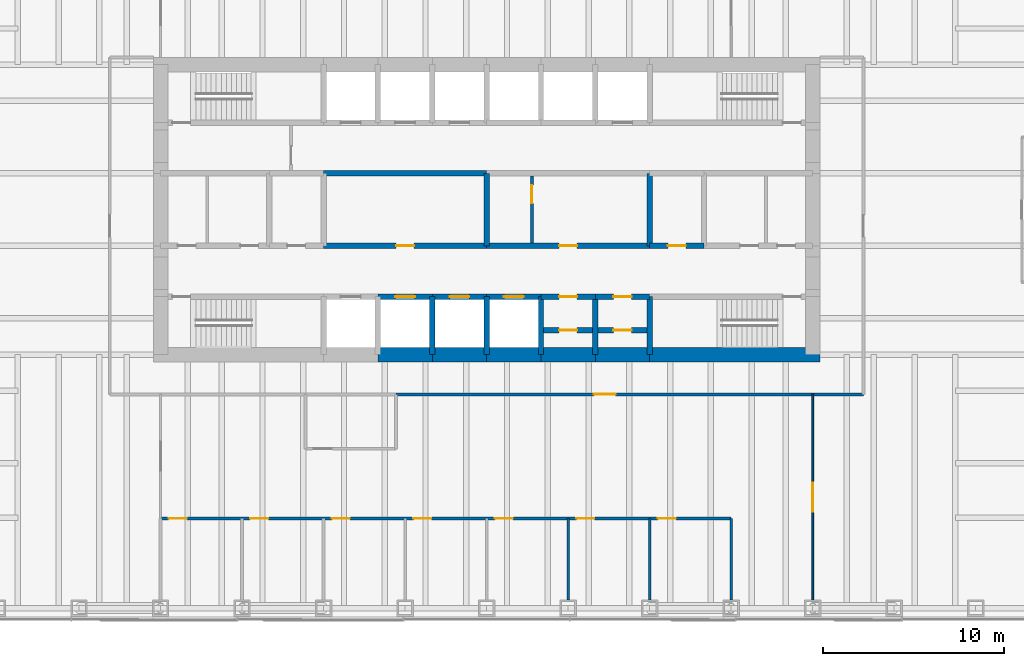
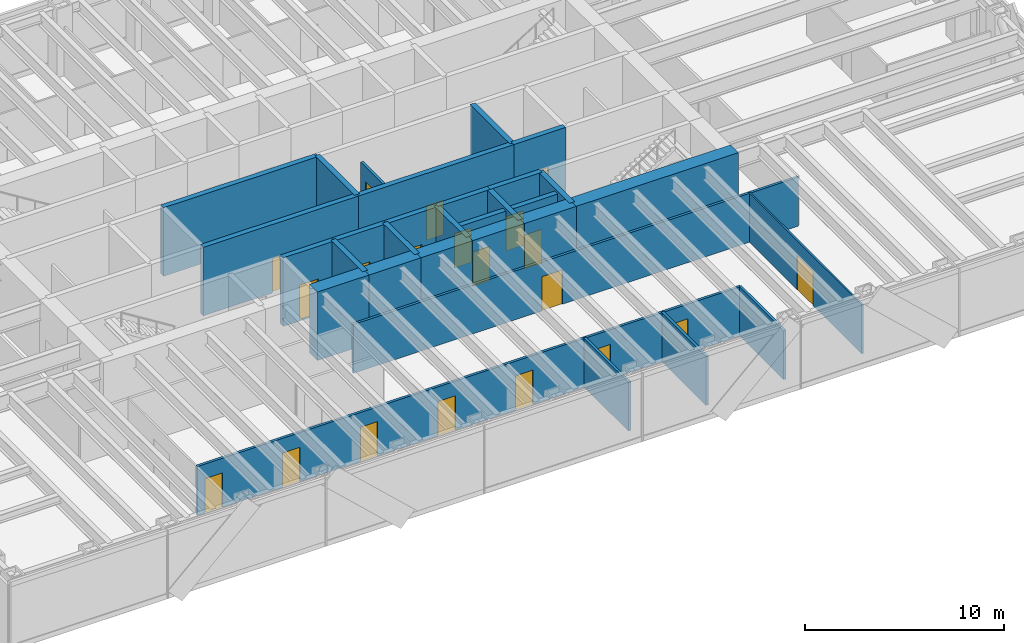
# One storey, part 11 of 14: 31 walls, 20 doors, 20 openings.
"""IFC4 building model written with IfcOpenShell, lengths in metres."""

import ifcopenshell
import ifcopenshell.guid

model = None  # the IFC model being written
_history = None  # IfcOwnerHistory: only IFC2X3 demands one
_inside = {}  # id of a spatial element -> (the spatial element, [elements in it])
_under = {}  # id of a project, library or spatial element -> (it, [spatial elements below it])
_declared = {}  # id of a project -> (the project, [libraries it declares])
_typed = {}  # id of a type object -> (the type object, [elements of that type])
_made_of = {}  # id of a material, layer set ... -> (it, [elements and type objects made of it])


def new_model(schema):
    """Start an empty IFC model of exactly this schema.

    Asked for "IFC4X3", IfcOpenShell would pick the latest addendum, in which some entities
    have other attributes; the version numbers below select the first issue.
    IFC2X3 requires an IfcOwnerHistory on every rooted entity: one is made here for all.
    """
    global model, _history
    if schema == "IFC4X3":
        model = ifcopenshell.file(schema_version=(4, 3, 0, 0))
    else:
        model = ifcopenshell.file(schema=schema)
    _inside.clear()
    _under.clear()
    _declared.clear()
    _typed.clear()
    _made_of.clear()
    _history = None
    if model.schema == "IFC2X3":
        org = make("IfcOrganization", Name="unknown")
        user = make(
            "IfcPersonAndOrganization",
            ThePerson=make("IfcPerson", FamilyName="unknown"),
            TheOrganization=org,
        )
        app = make(
            "IfcApplication",
            ApplicationDeveloper=org,
            Version="unknown",
            ApplicationFullName="unknown",
            ApplicationIdentifier="unknown",
        )
        _history = make(
            "IfcOwnerHistory",
            OwningUser=user,
            OwningApplication=app,
            ChangeAction="ADDED",
            CreationDate=0,
        )
    return model


def make(cls, **values):
    """One entity of the class cls with the attributes given. An attribute that is None is left unset."""
    return model.create_entity(
        cls, **{name: value for name, value in values.items() if value is not None}
    )


def rooted(cls, **values):
    """An entity with a GlobalId (a new one), such as an element, a storey or a relation."""
    return make(cls, GlobalId=ifcopenshell.guid.new(), OwnerHistory=_history, **values)


def si_unit(unit_type, name, prefix=None):
    """IfcSIUnit, for example si_unit("LENGTHUNIT", "METRE", prefix="MILLI")."""
    return make("IfcSIUnit", UnitType=unit_type, Prefix=prefix, Name=name)


def assignment(units):
    """IfcUnitAssignment: the units of a project."""
    return None if units is None else make("IfcUnitAssignment", Units=units)


def point(xyz):
    """IfcCartesianPoint."""
    return None if xyz is None else make("IfcCartesianPoint", Coordinates=xyz)


def direction(xyz):
    """IfcDirection."""
    return None if xyz is None else make("IfcDirection", DirectionRatios=xyz)


def frame(location, z_axis=None, x_axis=None):
    """IfcAxis2Placement3D, a coordinate frame: its origin and axes. An axis left out is left unset."""
    return make(
        "IfcAxis2Placement3D",
        Location=point(location),
        Axis=direction(z_axis),
        RefDirection=direction(x_axis),
    )


def frame_2d(location, x_axis=None):
    """IfcAxis2Placement2D, a coordinate frame in the plane: its origin and x axis."""
    return make(
        "IfcAxis2Placement2D", Location=point(location), RefDirection=direction(x_axis)
    )


def origin():
    """The frame at (0, 0, 0) with its axes left unset."""
    return frame((0.0, 0.0, 0.0))


def place(relative_to, where):
    """IfcLocalPlacement: puts the frame where relative to a parent placement (None: the world)."""
    return make(
        "IfcLocalPlacement", PlacementRelTo=relative_to, RelativePlacement=where
    )


def context(
    kind, dimensions, precision=None, world=None, true_north=None, identifier=None
):
    """IfcGeometricRepresentationContext, for example the 3D "Model" context."""
    return make(
        "IfcGeometricRepresentationContext",
        ContextIdentifier=identifier,
        ContextType=kind,
        CoordinateSpaceDimension=dimensions,
        Precision=precision,
        WorldCoordinateSystem=world,
        TrueNorth=true_north,
    )


def subcontext(parent, identifier, kind, view, scale=None):
    """IfcGeometricRepresentationSubContext, for example "Body" below "Model"."""
    return make(
        "IfcGeometricRepresentationSubContext",
        ContextIdentifier=identifier,
        ContextType=kind,
        ParentContext=parent,
        TargetScale=scale,
        TargetView=view,
    )


def project(units=None, contexts=None):
    """IfcProject with its units and contexts."""
    return rooted(
        "IfcProject",
        Name="project",
        RepresentationContexts=contexts,
        UnitsInContext=assignment(units),
    )


def spatial(cls, under=None, at=None, **own):
    """A site, building, storey or space (cls), placed at a placement, below another one or the project."""
    s = rooted(cls, ObjectPlacement=at, **own)
    if under is not None:
        _under.setdefault(under.id(), (under, []))[1].append(s)
    return s


def profile(cls, at=None, kind="AREA", **sizes):
    """A parametric profile (cls). Its sizes go by their IFC names, for example OverallWidth=200.0."""
    return make(cls, ProfileType=kind, Position=at, **sizes)


def rectangle(**sizes):
    """IfcRectangleProfileDef."""
    return profile("IfcRectangleProfileDef", **sizes)


def extrude(swept, where, along, depth):
    """IfcExtrudedAreaSolid: the profile swept, set in the frame where, extruded along a direction by depth."""
    return make(
        "IfcExtrudedAreaSolid",
        SweptArea=swept,
        Position=where,
        ExtrudedDirection=direction(along),
        Depth=depth,
    )


def shape(context_of_items, identifier, shape_type, items):
    """IfcShapeRepresentation: the items that make up one representation, for example the "Body"."""
    return make(
        "IfcShapeRepresentation",
        ContextOfItems=context_of_items,
        RepresentationIdentifier=identifier,
        RepresentationType=shape_type,
        Items=items,
    )


def material(Name=None, Category=None):
    """IfcMaterial."""
    return make("IfcMaterial", Name=Name, Category=Category)


def layer(
    of_material, thickness, ventilated=None, Name=None, Category=None, Priority=None
):
    """IfcMaterialLayer: one layer of a wall or slab, of a material (None: an air gap)."""
    return make(
        "IfcMaterialLayer",
        Material=of_material,
        LayerThickness=thickness,
        IsVentilated=ventilated,
        Name=Name,
        Category=Category,
        Priority=Priority,
    )


def layer_set(layers, Name=None):
    """IfcMaterialLayerSet."""
    return make("IfcMaterialLayerSet", MaterialLayers=layers, LayerSetName=Name)


def made_of(thing, what):
    """Note that an element or type object is made of a material, layer set ...; save() writes the relation."""
    if what is not None:
        _made_of.setdefault(what.id(), (what, []))[1].append(thing)
    return thing


def type_object(cls, material=None, **own):
    """A type object (cls), such as IfcWallType, which elements share."""
    return made_of(rooted(cls, **own), material)


def element(
    cls,
    number,
    at=None,
    inside=None,
    cuts=None,
    type_object=None,
    material=None,
    context=None,
    identifier="Body",
    shape_type=None,
    held_by="IfcProductDefinitionShape",
    body=None,
    shapes=None,
    **own,
):
    """One element of the class cls, such as IfcWall. Its Tag is "e" and its number.

    at: its placement. inside: the storey or other place that contains it. cuts: it is an
    opening in that element (IfcRelVoidsElement). A single representation is given by context,
    identifier, shape_type and body (its items); several are given by shapes. held_by: the class
    of the entity that holds the representations. save() writes the other relations.
    """
    e = rooted(cls, Tag="e%d" % number, ObjectPlacement=at, **own)
    if body is not None:
        shapes = [shape(context, identifier, shape_type, body)]
    if shapes is not None:
        e.Representation = make(held_by, Representations=shapes)
    if inside is not None:
        _inside.setdefault(inside.id(), (inside, []))[1].append(e)
    if cuts is not None:
        rooted(
            "IfcRelVoidsElement", RelatingBuildingElement=cuts, RelatedOpeningElement=e
        )
    if type_object is not None:
        _typed.setdefault(type_object.id(), (type_object, []))[1].append(e)
    return made_of(e, material)


def fill(opening, filler):
    """IfcRelFillsElement: the door or window that sits in an opening."""
    return rooted(
        "IfcRelFillsElement",
        RelatingOpeningElement=opening,
        RelatedBuildingElement=filler,
    )


def aggregate(whole, parts):
    """IfcRelAggregates: a whole, such as a stair, and the parts it consists of."""
    return rooted("IfcRelAggregates", RelatingObject=whole, RelatedObjects=parts)


def save(model, path):
    """Write the relations noted so far, then the file.

    IfcRelAggregates (storeys below a building ...), IfcRelContainedInSpatialStructure (elements
    in a storey), IfcRelDefinesByType, IfcRelAssociatesMaterial and IfcRelDeclares: one each for
    every whole, place, type object, material and project.
    """
    for whole, parts in _under.values():
        aggregate(whole, parts)
    for where, things in _inside.values():
        rooted(
            "IfcRelContainedInSpatialStructure",
            RelatedElements=things,
            RelatingStructure=where,
        )
    for kind, things in _typed.values():
        rooted("IfcRelDefinesByType", RelatedObjects=things, RelatingType=kind)
    for what, things in _made_of.values():
        rooted("IfcRelAssociatesMaterial", RelatedObjects=things, RelatingMaterial=what)
    for by, libraries in _declared.values():
        rooted("IfcRelDeclares", RelatingContext=by, RelatedDefinitions=libraries)
    model.write(path)


model = new_model("IFC4")

# Units and contexts
model_context = context("Model", 3, precision=1e-05, world=origin(), true_north=direction((0.0, 1.0)))
body_context = subcontext(model_context, "Body", "Model", "MODEL_VIEW")
ifc_project = project(units=[si_unit("LENGTHUNIT", "METRE"), si_unit("AREAUNIT", "SQUARE_METRE"), si_unit("VOLUMEUNIT", "CUBIC_METRE"), si_unit("PLANEANGLEUNIT", "RADIAN"), si_unit("MASSUNIT", "GRAM", prefix="KILO")], contexts=[model_context])

# Site, building, storey
site_placement = place(None, origin())
site = spatial("IfcSite", under=ifc_project, at=site_placement, CompositionType="ELEMENT")
building_placement = place(site_placement, origin())
building = spatial("IfcBuilding", under=site, at=building_placement, Name="Rheinbord Bourse Tower", CompositionType="ELEMENT")
storey_placement = place(building_placement, frame((0.0, 0.0, 194.199951171875)))
storey = spatial("IfcBuildingStorey", under=building, at=storey_placement, Name="L43", CompositionType="ELEMENT", Elevation=194.199951171875)

# Wall, opening, door
ifc_material_1 = material(Name="Concrete C50/60", Category="concrete")
ifc_layer_1 = layer(ifc_material_1, 0.300048828125)
ifc_layer_set_1 = layer_set([ifc_layer_1], Name="CORE INNER WALL 300")
wall_type_1 = type_object("IfcWallType", Name="CORE INNER WALL 300", PredefinedType="SOLIDWALL", material=ifc_layer_set_1)
wall_1_placement = place(storey_placement, frame((30.0, 19.199951171875, 0.0), z_axis=(0.0, 0.0, 1.0), x_axis=(1.0, 0.0, 0.0)))
wall_1 = element("IfcWall", 1, at=wall_1_placement, inside=storey, type_object=wall_type_1, Name="Core wall A3 L43", PredefinedType="SOLIDWALL", context=body_context, shape_type="SweptSolid", body=[
    extrude(rectangle(XDim=3.0, YDim=0.300048828125, at=frame_2d((1.5, 0.0))), origin(), (0.0, 0.0, 1.0), 4.199951171875),
])
opening_1_placement = place(wall_1_placement, frame((0.949951171875, 0.0, 0.0)))
opening_1 = element("IfcOpeningElement", 2, at=opening_1_placement, cuts=wall_1, Name="Opening PC1", PredefinedType="OPENING", context=body_context, shape_type="SweptSolid", body=[
    extrude(rectangle(XDim=1.10009765625, YDim=2.199951171875, at=frame_2d((0.550048828125, 1.10009765625))), frame((0.0, 0.159912109375, 0.0), z_axis=(0.0, -1.0, 0.0), x_axis=(1.0, 0.0, 0.0)), (0.0, 0.0, 1.0), 0.320068359375),
])
ifc_material_2 = material(Name="Steel landing door", Category="steel")
door_type_1 = type_object("IfcDoorType", Name="LIFT LANDING DOOR 1100", OperationType="DOUBLE_DOOR_SLIDING", PredefinedType="USERDEFINED", material=ifc_material_2)
door_1_placement = place(opening_1_placement, origin())
door_1 = element("IfcDoor", 3, at=door_1_placement, inside=storey, type_object=door_type_1, Name="Lift landing door PC1 L43", ObjectType="LIFT LANDING DOOR", OperationType="DOUBLE_DOOR_SLIDING", OverallHeight=2.199951171875, OverallWidth=1.10009765625, PredefinedType="USERDEFINED", context=body_context, shape_type="SweptSolid", body=[
    extrude(rectangle(XDim=1.10009765625, YDim=2.199951171875, at=frame_2d((0.550048828125, 1.10009765625))), frame((0.0, 0.02490234375, 0.0), z_axis=(0.0, -1.0, 0.0), x_axis=(1.0, 0.0, 0.0)), (0.0, 0.0, 1.0), 0.050048828125),
])
fill(opening_1, door_1)

wall_2_placement = place(storey_placement, frame((33.0, 19.199951171875, 0.0), z_axis=(0.0, 0.0, 1.0), x_axis=(1.0, 0.0, 0.0)))
wall_2 = element("IfcWall", 4, at=wall_2_placement, inside=storey, type_object=wall_type_1, Name="Core wall A4 L43", PredefinedType="SOLIDWALL", context=body_context, shape_type="SweptSolid", body=[
    extrude(rectangle(XDim=3.0, YDim=0.300048828125, at=frame_2d((1.5, 0.0))), origin(), (0.0, 0.0, 1.0), 4.199951171875),
])
opening_2_placement = place(wall_2_placement, frame((0.949951171875, 0.0, 0.0)))
opening_2 = element("IfcOpeningElement", 5, at=opening_2_placement, cuts=wall_2, Name="Opening PC2", PredefinedType="OPENING", context=body_context, shape_type="SweptSolid", body=[
    extrude(rectangle(XDim=1.10009765625, YDim=2.199951171875, at=frame_2d((0.550048828125, 1.10009765625))), frame((0.0, 0.159912109375, 0.0), z_axis=(0.0, -1.0, 0.0), x_axis=(1.0, 0.0, 0.0)), (0.0, 0.0, 1.0), 0.320068359375),
])
door_2_placement = place(opening_2_placement, origin())
door_2 = element("IfcDoor", 6, at=door_2_placement, inside=storey, type_object=door_type_1, Name="Lift landing door PC2 L43", ObjectType="LIFT LANDING DOOR", OperationType="DOUBLE_DOOR_SLIDING", OverallHeight=2.199951171875, OverallWidth=1.10009765625, PredefinedType="USERDEFINED", context=body_context, shape_type="SweptSolid", body=[
    extrude(rectangle(XDim=1.10009765625, YDim=2.199951171875, at=frame_2d((0.550048828125, 1.10009765625))), frame((0.0, 0.02490234375, 0.0), z_axis=(0.0, -1.0, 0.0), x_axis=(1.0, 0.0, 0.0)), (0.0, 0.0, 1.0), 0.050048828125),
])
fill(opening_2, door_2)

wall_3_placement = place(storey_placement, frame((36.0, 19.199951171875, 0.0), z_axis=(0.0, 0.0, 1.0), x_axis=(1.0, 0.0, 0.0)))
wall_3 = element("IfcWall", 7, at=wall_3_placement, inside=storey, type_object=wall_type_1, Name="Core wall A5 L43", PredefinedType="SOLIDWALL", context=body_context, shape_type="SweptSolid", body=[
    extrude(rectangle(XDim=3.0, YDim=0.300048828125, at=frame_2d((1.5, 0.0))), origin(), (0.0, 0.0, 1.0), 4.199951171875),
])
opening_3_placement = place(wall_3_placement, frame((0.949951171875, 0.0, 0.0)))
opening_3 = element("IfcOpeningElement", 8, at=opening_3_placement, cuts=wall_3, Name="Opening PC3", PredefinedType="OPENING", context=body_context, shape_type="SweptSolid", body=[
    extrude(rectangle(XDim=1.10009765625, YDim=2.199951171875, at=frame_2d((0.550048828125, 1.10009765625))), frame((0.0, 0.159912109375, 0.0), z_axis=(0.0, -1.0, 0.0), x_axis=(1.0, 0.0, 0.0)), (0.0, 0.0, 1.0), 0.320068359375),
])
door_3_placement = place(opening_3_placement, origin())
door_3 = element("IfcDoor", 9, at=door_3_placement, inside=storey, type_object=door_type_1, Name="Lift landing door PC3 L43", ObjectType="LIFT LANDING DOOR", OperationType="DOUBLE_DOOR_SLIDING", OverallHeight=2.199951171875, OverallWidth=1.10009765625, PredefinedType="USERDEFINED", context=body_context, shape_type="SweptSolid", body=[
    extrude(rectangle(XDim=1.10009765625, YDim=2.199951171875, at=frame_2d((0.550048828125, 1.10009765625))), frame((0.0, 0.02490234375, 0.0), z_axis=(0.0, -1.0, 0.0), x_axis=(1.0, 0.0, 0.0)), (0.0, 0.0, 1.0), 0.050048828125),
])
fill(opening_3, door_3)

wall_4_placement = place(storey_placement, frame((39.0, 19.199951171875, 0.0), z_axis=(0.0, 0.0, 1.0), x_axis=(1.0, 0.0, 0.0)))
wall_4 = element("IfcWall", 10, at=wall_4_placement, inside=storey, type_object=wall_type_1, Name="Core wall A6 L43", PredefinedType="SOLIDWALL", context=body_context, shape_type="SweptSolid", body=[
    extrude(rectangle(XDim=3.0, YDim=0.300048828125, at=frame_2d((1.5, 0.0))), origin(), (0.0, 0.0, 1.0), 4.199951171875),
])
opening_4_placement = place(wall_4_placement, frame((1.0, 0.0, 0.0)))
opening_4 = element("IfcOpeningElement", 11, at=opening_4_placement, cuts=wall_4, Name="Opening 43R8", PredefinedType="OPENING", context=body_context, shape_type="SweptSolid", body=[
    extrude(rectangle(XDim=1.0, YDim=2.10009765625, at=frame_2d((0.5, 1.050048828125))), frame((0.0, 0.159912109375, 0.0), z_axis=(0.0, -1.0, 0.0), x_axis=(1.0, 0.0, 0.0)), (0.0, 0.0, 1.0), 0.320068359375),
])
ifc_material_3 = material(Name="Steel door", Category="steel")
door_type_2 = type_object("IfcDoorType", Name="DOOR 1000 EI30", OperationType="SINGLE_SWING_LEFT", PredefinedType="DOOR", material=ifc_material_3)
door_4_placement = place(opening_4_placement, origin())
door_4 = element("IfcDoor", 12, at=door_4_placement, inside=storey, type_object=door_type_2, Name="Archive store door L43", OperationType="SINGLE_SWING_LEFT", OverallHeight=2.10009765625, OverallWidth=1.0, PredefinedType="DOOR", context=body_context, shape_type="SweptSolid", body=[
    extrude(rectangle(XDim=1.0, YDim=2.10009765625, at=frame_2d((0.5, 1.050048828125))), frame((0.0, 0.02490234375, 0.0), z_axis=(0.0, -1.0, 0.0), x_axis=(1.0, 0.0, 0.0)), (0.0, 0.0, 1.0), 0.050048828125),
])
fill(opening_4, door_4)

wall_5_placement = place(storey_placement, frame((42.0, 19.199951171875, 0.0), z_axis=(0.0, 0.0, 1.0), x_axis=(1.0, 0.0, 0.0)))
wall_5 = element("IfcWall", 13, at=wall_5_placement, inside=storey, type_object=wall_type_1, Name="Core wall A7 L43", PredefinedType="SOLIDWALL", context=body_context, shape_type="SweptSolid", body=[
    extrude(rectangle(XDim=3.0, YDim=0.300048828125, at=frame_2d((1.5, 0.0))), origin(), (0.0, 0.0, 1.0), 4.199951171875),
])
opening_5_placement = place(wall_5_placement, frame((1.0, 0.0, 0.0)))
opening_5 = element("IfcOpeningElement", 14, at=opening_5_placement, cuts=wall_5, Name="Opening 43R9", PredefinedType="OPENING", context=body_context, shape_type="SweptSolid", body=[
    extrude(rectangle(XDim=1.0, YDim=2.10009765625, at=frame_2d((0.5, 1.050048828125))), frame((0.0, 0.159912109375, 0.0), z_axis=(0.0, -1.0, 0.0), x_axis=(1.0, 0.0, 0.0)), (0.0, 0.0, 1.0), 0.320068359375),
])
door_5_placement = place(opening_5_placement, origin())
door_5 = element("IfcDoor", 15, at=door_5_placement, inside=storey, type_object=door_type_2, Name="Mail room door L43", OperationType="SINGLE_SWING_LEFT", OverallHeight=2.10009765625, OverallWidth=1.0, PredefinedType="DOOR", context=body_context, shape_type="SweptSolid", body=[
    extrude(rectangle(XDim=1.0, YDim=2.10009765625, at=frame_2d((0.5, 1.050048828125))), frame((0.0, 0.02490234375, 0.0), z_axis=(0.0, -1.0, 0.0), x_axis=(1.0, 0.0, 0.0)), (0.0, 0.0, 1.0), 0.050048828125),
])
fill(opening_5, door_5)

wall_6_placement = place(storey_placement, frame((27.0, 22.0, 0.0), z_axis=(0.0, 0.0, 1.0), x_axis=(1.0, 0.0, 0.0)))
wall_6 = element("IfcWall", 16, at=wall_6_placement, inside=storey, type_object=wall_type_1, Name="Core wall C3 L43", PredefinedType="SOLIDWALL", context=body_context, shape_type="SweptSolid", body=[
    extrude(rectangle(XDim=9.0, YDim=0.300048828125, at=frame_2d((4.5, 0.0))), origin(), (0.0, 0.0, 1.0), 4.199951171875),
])
opening_6_placement = place(wall_6_placement, frame((4.0, 0.0, 0.0)))
opening_6 = element("IfcOpeningElement", 17, at=opening_6_placement, cuts=wall_6, Name="Opening 43R3", PredefinedType="OPENING", context=body_context, shape_type="SweptSolid", body=[
    extrude(rectangle(XDim=1.0, YDim=2.10009765625, at=frame_2d((0.5, 1.050048828125))), frame((0.0, 0.159912109375, 0.0), z_axis=(0.0, -1.0, 0.0), x_axis=(1.0, 0.0, 0.0)), (0.0, 0.0, 1.0), 0.320068359375),
])
door_6_placement = place(opening_6_placement, origin())
door_6 = element("IfcDoor", 18, at=door_6_placement, inside=storey, type_object=door_type_2, Name="Riser door L43", OperationType="SINGLE_SWING_LEFT", OverallHeight=2.10009765625, OverallWidth=1.0, PredefinedType="DOOR", context=body_context, shape_type="SweptSolid", body=[
    extrude(rectangle(XDim=1.0, YDim=2.10009765625, at=frame_2d((0.5, 1.050048828125))), frame((0.0, 0.02490234375, 0.0), z_axis=(0.0, -1.0, 0.0), x_axis=(1.0, 0.0, 0.0)), (0.0, 0.0, 1.0), 0.050048828125),
])
fill(opening_6, door_6)

wall_7_placement = place(storey_placement, frame((36.0, 22.0, 0.0), z_axis=(0.0, 0.0, 1.0), x_axis=(1.0, 0.0, 0.0)))
wall_7 = element("IfcWall", 19, at=wall_7_placement, inside=storey, type_object=wall_type_1, Name="Core wall C4 L43", PredefinedType="SOLIDWALL", context=body_context, shape_type="SweptSolid", body=[
    extrude(rectangle(XDim=9.0, YDim=0.300048828125, at=frame_2d((4.5, 0.0))), origin(), (0.0, 0.0, 1.0), 4.199951171875),
])
opening_7_placement = place(wall_7_placement, frame((4.0, 0.0, 0.0)))
opening_7 = element("IfcOpeningElement", 20, at=opening_7_placement, cuts=wall_7, Name="Opening 43R4", PredefinedType="OPENING", context=body_context, shape_type="SweptSolid", body=[
    extrude(rectangle(XDim=1.0, YDim=2.10009765625, at=frame_2d((0.5, 1.050048828125))), frame((0.0, 0.159912109375, 0.0), z_axis=(0.0, -1.0, 0.0), x_axis=(1.0, 0.0, 0.0)), (0.0, 0.0, 1.0), 0.320068359375),
])
door_7_placement = place(opening_7_placement, origin())
door_7 = element("IfcDoor", 21, at=door_7_placement, inside=storey, type_object=door_type_2, Name="Store door L43", OperationType="SINGLE_SWING_LEFT", OverallHeight=2.10009765625, OverallWidth=1.0, PredefinedType="DOOR", context=body_context, shape_type="SweptSolid", body=[
    extrude(rectangle(XDim=1.0, YDim=2.10009765625, at=frame_2d((0.5, 1.050048828125))), frame((0.0, 0.02490234375, 0.0), z_axis=(0.0, -1.0, 0.0), x_axis=(1.0, 0.0, 0.0)), (0.0, 0.0, 1.0), 0.050048828125),
])
fill(opening_7, door_7)

wall_8_placement = place(storey_placement, frame((45.0, 22.0, 0.0), z_axis=(0.0, 0.0, 1.0), x_axis=(1.0, 0.0, 0.0)))
wall_8 = element("IfcWall", 22, at=wall_8_placement, inside=storey, type_object=wall_type_1, Name="Core wall C5 L43", PredefinedType="SOLIDWALL", context=body_context, shape_type="SweptSolid", body=[
    extrude(rectangle(XDim=3.0, YDim=0.300048828125, at=frame_2d((1.5, 0.0))), origin(), (0.0, 0.0, 1.0), 4.199951171875),
])
opening_8_placement = place(wall_8_placement, frame((1.0, 0.0, 0.0)))
opening_8 = element("IfcOpeningElement", 23, at=opening_8_placement, cuts=wall_8, Name="Opening 43R5", PredefinedType="OPENING", context=body_context, shape_type="SweptSolid", body=[
    extrude(rectangle(XDim=1.0, YDim=2.10009765625, at=frame_2d((0.5, 1.050048828125))), frame((0.0, 0.159912109375, 0.0), z_axis=(0.0, -1.0, 0.0), x_axis=(1.0, 0.0, 0.0)), (0.0, 0.0, 1.0), 0.320068359375),
])
ifc_material_4 = material(Name="Timber door", Category="wood")
door_type_3 = type_object("IfcDoorType", Name="DOOR 1000 WC", OperationType="SINGLE_SWING_LEFT", PredefinedType="DOOR", material=ifc_material_4)
door_8_placement = place(opening_8_placement, origin())
door_8 = element("IfcDoor", 24, at=door_8_placement, inside=storey, type_object=door_type_3, Name="Accessible WC door L43", OperationType="SINGLE_SWING_LEFT", OverallHeight=2.10009765625, OverallWidth=1.0, PredefinedType="DOOR", context=body_context, shape_type="SweptSolid", body=[
    extrude(rectangle(XDim=1.0, YDim=2.10009765625, at=frame_2d((0.5, 1.050048828125))), frame((0.0, 0.02490234375, 0.0), z_axis=(0.0, -1.0, 0.0), x_axis=(1.0, 0.0, 0.0)), (0.0, 0.0, 1.0), 0.050048828125),
])
fill(opening_8, door_8)

# Walls
wall_9_placement = place(storey_placement, frame((27.0, 26.0, 0.0), z_axis=(0.0, 0.0, 1.0), x_axis=(1.0, 0.0, 0.0)))
element("IfcWall", 25, at=wall_9_placement, inside=storey, type_object=wall_type_1, Name="Core wall D3 L43", PredefinedType="SOLIDWALL", context=body_context, shape_type="SweptSolid", body=[
    extrude(rectangle(XDim=9.0, YDim=0.300048828125, at=frame_2d((4.5, 0.0))), origin(), (0.0, 0.0, 1.0), 4.199951171875),
])
for number, where, z_axis, x_axis, name in (
    (26, (33.0, 16.0, 0.0), (0.0, 0.0, 1.0), (0.0, 1.0, 0.0), "Core wall SX33 L43"),
    (27, (36.0, 16.0, 0.0), (0.0, 0.0, 1.0), (0.0, 1.0, 0.0), "Core wall SX36 L43"),
    (28, (39.0, 16.0, 0.0), (0.0, 0.0, 1.0), (0.0, 1.0, 0.0), "Core wall SX39 L43"),
    (29, (42.0, 16.0, 0.0), (0.0, 0.0, 1.0), (0.0, 1.0, 0.0), "Core wall SX42 L43"),
    (30, (45.0, 16.0, 0.0), (0.0, 0.0, 1.0), (0.0, 1.0, 0.0), "Core wall SX45 L43"),
):
    element("IfcWall", number, at=place(storey_placement, frame(where, z_axis=z_axis, x_axis=x_axis)), inside=storey, type_object=wall_type_1, Name=name, PredefinedType="SOLIDWALL", context=body_context, shape_type="SweptSolid", body=[
        extrude(rectangle(XDim=3.199951171875, YDim=0.300048828125, at=frame_2d((1.60009765625, 0.0))), origin(), (0.0, 0.0, 1.0), 4.199951171875),
    ])
for number, where, z_axis, x_axis, name in (
    (31, (36.0, 22.0, 0.0), (0.0, 0.0, 1.0), (0.0, 1.0, 0.0), "Core wall MX36 L43"),
    (32, (45.0, 22.0, 0.0), (0.0, 0.0, 1.0), (0.0, 1.0, 0.0), "Core wall MX45 L43"),
):
    element("IfcWall", number, at=place(storey_placement, frame(where, z_axis=z_axis, x_axis=x_axis)), inside=storey, type_object=wall_type_1, Name=name, PredefinedType="SOLIDWALL", context=body_context, shape_type="SweptSolid", body=[
        extrude(rectangle(XDim=4.0, YDim=0.300048828125, at=frame_2d((2.0, 0.0))), origin(), (0.0, 0.0, 1.0), 4.199951171875),
    ])

# Wall, opening, door
wall_10_placement = place(storey_placement, frame((39.14990234375, 17.35009765625, 0.0), z_axis=(0.0, 0.0, 1.0), x_axis=(1.0, 0.0, 0.0)))
wall_10 = element("IfcWall", 33, at=wall_10_placement, inside=storey, type_object=wall_type_1, Name="Core riser wall L43-6", PredefinedType="SOLIDWALL", context=body_context, shape_type="SweptSolid", body=[
    extrude(rectangle(XDim=2.7001953125, YDim=0.300048828125, at=frame_2d((1.35009765625, 0.0))), origin(), (0.0, 0.0, 1.0), 4.0400390625),
])
opening_9_placement = place(wall_10_placement, frame((0.85009765625, 0.0, 0.0)))
opening_9 = element("IfcOpeningElement", 34, at=opening_9_placement, cuts=wall_10, Name="Opening 43R12", PredefinedType="OPENING", context=body_context, shape_type="SweptSolid", body=[
    extrude(rectangle(XDim=1.0, YDim=2.10009765625, at=frame_2d((0.5, 1.050048828125))), frame((0.0, 0.159912109375, 0.0), z_axis=(0.0, -1.0, 0.0), x_axis=(1.0, 0.0, 0.0)), (0.0, 0.0, 1.0), 0.320068359375),
])
door_9_placement = place(opening_9_placement, origin())
door_9 = element("IfcDoor", 35, at=door_9_placement, inside=storey, type_object=door_type_2, Name="Comms riser door L43", OperationType="SINGLE_SWING_LEFT", OverallHeight=2.10009765625, OverallWidth=1.0, PredefinedType="DOOR", context=body_context, shape_type="SweptSolid", body=[
    extrude(rectangle(XDim=1.0, YDim=2.10009765625, at=frame_2d((0.5, 1.050048828125))), frame((0.0, 0.02490234375, 0.0), z_axis=(0.0, -1.0, 0.0), x_axis=(1.0, 0.0, 0.0)), (0.0, 0.0, 1.0), 0.050048828125),
])
fill(opening_9, door_9)

wall_11_placement = place(storey_placement, frame((42.14990234375, 17.35009765625, 0.0), z_axis=(0.0, 0.0, 1.0), x_axis=(1.0, 0.0, 0.0)))
wall_11 = element("IfcWall", 36, at=wall_11_placement, inside=storey, type_object=wall_type_1, Name="Core riser wall L43-7", PredefinedType="SOLIDWALL", context=body_context, shape_type="SweptSolid", body=[
    extrude(rectangle(XDim=2.7001953125, YDim=0.300048828125, at=frame_2d((1.35009765625, 0.0))), origin(), (0.0, 0.0, 1.0), 4.0400390625),
])
opening_10_placement = place(wall_11_placement, frame((0.85009765625, 0.0, 0.0)))
opening_10 = element("IfcOpeningElement", 37, at=opening_10_placement, cuts=wall_11, Name="Opening 43R13", PredefinedType="OPENING", context=body_context, shape_type="SweptSolid", body=[
    extrude(rectangle(XDim=1.0, YDim=2.10009765625, at=frame_2d((0.5, 1.050048828125))), frame((0.0, 0.159912109375, 0.0), z_axis=(0.0, -1.0, 0.0), x_axis=(1.0, 0.0, 0.0)), (0.0, 0.0, 1.0), 0.320068359375),
])
door_10_placement = place(opening_10_placement, origin())
door_10 = element("IfcDoor", 38, at=door_10_placement, inside=storey, type_object=door_type_2, Name="Electrical riser door L43", OperationType="SINGLE_SWING_LEFT", OverallHeight=2.10009765625, OverallWidth=1.0, PredefinedType="DOOR", context=body_context, shape_type="SweptSolid", body=[
    extrude(rectangle(XDim=1.0, YDim=2.10009765625, at=frame_2d((0.5, 1.050048828125))), frame((0.0, 0.02490234375, 0.0), z_axis=(0.0, -1.0, 0.0), x_axis=(1.0, 0.0, 0.0)), (0.0, 0.0, 1.0), 0.050048828125),
])
fill(opening_10, door_10)

ifc_material_5 = material(Name="Gypsum board fire partition", Category="gypsum board")
ifc_layer_2 = layer(ifc_material_5, 0.14990234375)
ifc_layer_set_2 = layer_set([ifc_layer_2], Name="CORE PARTITION 150 EI30")
wall_type_2 = type_object("IfcWallType", Name="CORE PARTITION 150 EI30", PredefinedType="PARTITIONING", material=ifc_layer_set_2)
wall_12_placement = place(storey_placement, frame((38.5, 22.14990234375, 0.0), z_axis=(0.0, 0.0, 1.0), x_axis=(0.0, 1.0, 0.0)))
wall_12 = element("IfcWall", 39, at=wall_12_placement, inside=storey, type_object=wall_type_2, Name="Core partition L43-1", PredefinedType="PARTITIONING", context=body_context, shape_type="SweptSolid", body=[
    extrude(rectangle(XDim=3.7001953125, YDim=0.14990234375, at=frame_2d((1.85009765625, 0.0))), origin(), (0.0, 0.0, 1.0), 3.0),
])
opening_11_placement = place(wall_12_placement, frame((2.199951171875, 0.0, 0.0)))
opening_11 = element("IfcOpeningElement", 40, at=opening_11_placement, cuts=wall_12, Name="Opening 43R7", PredefinedType="OPENING", context=body_context, shape_type="SweptSolid", body=[
    extrude(rectangle(XDim=1.0, YDim=2.10009765625, at=frame_2d((0.5, 1.050048828125))), frame((0.0, 0.0849609375, 0.0), z_axis=(0.0, -1.0, 0.0), x_axis=(1.0, 0.0, 0.0)), (0.0, 0.0, 1.0), 0.169921875),
])
door_11_placement = place(opening_11_placement, origin())
door_11 = element("IfcDoor", 41, at=door_11_placement, inside=storey, type_object=door_type_2, Name="Furniture store door L43", OperationType="SINGLE_SWING_RIGHT", OverallHeight=2.10009765625, OverallWidth=1.0, PredefinedType="DOOR", context=body_context, shape_type="SweptSolid", body=[
    extrude(rectangle(XDim=1.0, YDim=2.10009765625, at=frame_2d((0.5, 1.050048828125))), frame((0.0, 0.02490234375, 0.0), z_axis=(0.0, -1.0, 0.0), x_axis=(1.0, 0.0, 0.0)), (0.0, 0.0, 1.0), 0.050048828125),
])
fill(opening_11, door_11)

# Walls
ifc_material_6 = material(Name="Concrete C50/60", Category="concrete")
ifc_layer_3 = layer(ifc_material_6, 0.800048828125)
ifc_layer_set_3 = layer_set([ifc_layer_3], Name="CORE WALL 800")
wall_type_3 = type_object("IfcWallType", Name="CORE WALL 800", PredefinedType="SHEAR", material=ifc_layer_set_3)
for number, where, z_axis, x_axis, name in (
    (42, (30.0, 16.0, 0.0), (0.0, 0.0, 1.0), (1.0, 0.0, 0.0), "Core wall S3 L43"),
    (43, (33.0, 16.0, 0.0), (0.0, 0.0, 1.0), (1.0, 0.0, 0.0), "Core wall S4 L43"),
    (44, (36.0, 16.0, 0.0), (0.0, 0.0, 1.0), (1.0, 0.0, 0.0), "Core wall S5 L43"),
    (45, (39.0, 16.0, 0.0), (0.0, 0.0, 1.0), (1.0, 0.0, 0.0), "Core wall S6 L43"),
    (46, (42.0, 16.0, 0.0), (0.0, 0.0, 1.0), (1.0, 0.0, 0.0), "Core wall S7 L43"),
):
    element("IfcWall", number, at=place(storey_placement, frame(where, z_axis=z_axis, x_axis=x_axis)), inside=storey, type_object=wall_type_3, Name=name, PredefinedType="SHEAR", context=body_context, shape_type="SweptSolid", body=[
        extrude(rectangle(XDim=3.0, YDim=0.800048828125, at=frame_2d((1.5, 0.0))), origin(), (0.0, 0.0, 1.0), 4.199951171875),
    ])
wall_13_placement = place(storey_placement, frame((45.0, 16.0, 0.0), z_axis=(0.0, 0.0, 1.0), x_axis=(1.0, 0.0, 0.0)))
element("IfcWall", 47, at=wall_13_placement, inside=storey, type_object=wall_type_3, Name="Core wall S8 L43", PredefinedType="SHEAR", context=body_context, shape_type="SweptSolid", body=[
    extrude(rectangle(XDim=9.39990234375, YDim=0.800048828125, at=frame_2d((4.699951171875, 0.0))), origin(), (0.0, 0.0, 1.0), 4.199951171875),
])

# Wall, opening, door
ifc_material_7 = material(Name="Gypsum board corridor partition", Category="gypsum board")
ifc_layer_4 = layer(ifc_material_7, 0.14990234375)
ifc_layer_set_4 = layer_set([ifc_layer_4], Name="CORRIDOR PARTITION 150 EI30")
wall_type_4 = type_object("IfcWallType", Name="CORRIDOR PARTITION 150 EI30", PredefinedType="PARTITIONING", material=ifc_layer_set_4)
wall_14_placement = place(storey_placement, frame((31.0, 13.800048828125, 0.0), z_axis=(0.0, 0.0, 1.0), x_axis=(1.0, 0.0, 0.0)))
wall_14 = element("IfcWall", 48, at=wall_14_placement, inside=storey, type_object=wall_type_4, Name="Partition L43-05", PredefinedType="PARTITIONING", context=body_context, shape_type="SweptSolid", body=[
    extrude(rectangle(XDim=25.800048828125, YDim=0.14990234375, at=frame_2d((12.89990234375, 0.0))), origin(), (0.0, 0.0, 1.0), 3.0),
])
opening_12_placement = place(wall_14_placement, frame((10.925048828125, 0.0, 0.0)))
opening_12 = element("IfcOpeningElement", 49, at=opening_12_placement, cuts=wall_14, Name="Opening 43D25", PredefinedType="OPENING", context=body_context, shape_type="SweptSolid", body=[
    extrude(rectangle(XDim=1.199951171875, YDim=2.10009765625, at=frame_2d((0.60009765625, 1.050048828125))), frame((0.0, 0.0849609375, 0.0), z_axis=(0.0, -1.0, 0.0), x_axis=(1.0, 0.0, 0.0)), (0.0, 0.0, 1.0), 0.169921875),
])
ifc_material_8 = material(Name="Timber fire door", Category="wood")
door_type_4 = type_object("IfcDoorType", Name="SUITE ENTRANCE DOOR 1200 EI30", OperationType="SINGLE_SWING_LEFT", PredefinedType="DOOR", material=ifc_material_8)
door_12_placement = place(opening_12_placement, origin())
door_12 = element("IfcDoor", 50, at=door_12_placement, inside=storey, type_object=door_type_4, Name="Suite entrance 3 door L43", OperationType="SINGLE_SWING_LEFT", OverallHeight=2.10009765625, OverallWidth=1.199951171875, PredefinedType="DOOR", context=body_context, shape_type="SweptSolid", body=[
    extrude(rectangle(XDim=1.199951171875, YDim=2.10009765625, at=frame_2d((0.60009765625, 1.050048828125))), frame((0.0, 0.02490234375, 0.0), z_axis=(0.0, -1.0, 0.0), x_axis=(1.0, 0.0, 0.0)), (0.0, 0.0, 1.0), 0.050048828125),
])
fill(opening_12, door_12)

ifc_material_9 = material(Name="Toughened laminated glass partition", Category="glass")
ifc_layer_5 = layer(ifc_material_9, 0.10009765625)
ifc_layer_set_5 = layer_set([ifc_layer_5], Name="GLAZED PARTITION 100")
wall_type_5 = type_object("IfcWallType", Name="GLAZED PARTITION 100", PredefinedType="PARTITIONING", material=ifc_layer_set_5)
wall_15_placement = place(storey_placement, frame((54.0, 2.449951171875, 0.0), z_axis=(0.0, 0.0, 1.0), x_axis=(0.0, 1.0, 0.0)))
wall_15 = element("IfcWall", 51, at=wall_15_placement, inside=storey, type_object=wall_type_5, Name="Partition L43-38", PredefinedType="PARTITIONING", context=body_context, shape_type="SweptSolid", body=[
    extrude(rectangle(XDim=11.35009765625, YDim=0.10009765625, at=frame_2d((5.675048828125, 0.0))), origin(), (0.0, 0.0, 1.0), 3.0),
])
opening_13_placement = place(wall_15_placement, frame((4.875, 0.0, 0.0)))
opening_13 = element("IfcOpeningElement", 52, at=opening_13_placement, cuts=wall_15, Name="Opening 43D21", PredefinedType="OPENING", context=body_context, shape_type="SweptSolid", body=[
    extrude(rectangle(XDim=1.60009765625, YDim=2.10009765625, at=frame_2d((0.800048828125, 1.050048828125))), frame((0.0, 0.06005859375, 0.0), z_axis=(0.0, -1.0, 0.0), x_axis=(1.0, 0.0, 0.0)), (0.0, 0.0, 1.0), 0.1201171875),
])
ifc_material_10 = material(Name="Timber door", Category="wood")
door_type_5 = type_object("IfcDoorType", Name="DOUBLE ROOM DOOR 1600", OperationType="DOUBLE_DOOR_DOUBLE_SWING", PredefinedType="DOOR", material=ifc_material_10)
door_13_placement = place(opening_13_placement, origin())
door_13 = element("IfcDoor", 53, at=door_13_placement, inside=storey, type_object=door_type_5, Name="Open area door L43", OperationType="SINGLE_SWING_LEFT", OverallHeight=2.10009765625, OverallWidth=1.60009765625, PredefinedType="DOOR", context=body_context, shape_type="SweptSolid", body=[
    extrude(rectangle(XDim=1.60009765625, YDim=2.10009765625, at=frame_2d((0.800048828125, 1.050048828125))), frame((0.0, 0.02490234375, 0.0), z_axis=(0.0, -1.0, 0.0), x_axis=(1.0, 0.0, 0.0)), (0.0, 0.0, 1.0), 0.050048828125),
])
fill(opening_13, door_13)

# Wall, openings, doors
ifc_material_11 = material(Name="Gypsum board partition", Category="gypsum board")
ifc_layer_6 = layer(ifc_material_11, 0.14990234375)
ifc_layer_set_6 = layer_set([ifc_layer_6], Name="PARTITION 150")
wall_type_6 = type_object("IfcWallType", Name="PARTITION 150", PredefinedType="PARTITIONING", material=ifc_layer_set_6)
wall_16_placement = place(storey_placement, frame((18.0, 6.949951171875, 0.0), z_axis=(0.0, 0.0, 1.0), x_axis=(1.0, 0.0, 0.0)))
wall_16 = element("IfcWall", 54, at=wall_16_placement, inside=storey, type_object=wall_type_6, Name="Partition L43-01", PredefinedType="PARTITIONING", context=body_context, shape_type="SweptSolid", body=[
    extrude(rectangle(XDim=31.5, YDim=0.14990234375, at=frame_2d((15.75, 0.0))), origin(), (0.0, 0.0, 1.0), 3.0),
])
opening_14_placement = place(wall_16_placement, frame((0.449951171875, 0.0, 0.0)))
opening_14 = element("IfcOpeningElement", 55, at=opening_14_placement, cuts=wall_16, Name="Opening 43D01", PredefinedType="OPENING", context=body_context, shape_type="SweptSolid", body=[
    extrude(rectangle(XDim=1.0, YDim=2.10009765625, at=frame_2d((0.5, 1.050048828125))), frame((0.0, 0.0849609375, 0.0), z_axis=(0.0, -1.0, 0.0), x_axis=(1.0, 0.0, 0.0)), (0.0, 0.0, 1.0), 0.169921875),
])
opening_15_placement = place(wall_16_placement, frame((4.949951171875, 0.0, 0.0)))
opening_15 = element("IfcOpeningElement", 56, at=opening_15_placement, cuts=wall_16, Name="Opening 43D02", PredefinedType="OPENING", context=body_context, shape_type="SweptSolid", body=[
    extrude(rectangle(XDim=1.0, YDim=2.10009765625, at=frame_2d((0.5, 1.050048828125))), frame((0.0, 0.0849609375, 0.0), z_axis=(0.0, -1.0, 0.0), x_axis=(1.0, 0.0, 0.0)), (0.0, 0.0, 1.0), 0.169921875),
])
opening_16_placement = place(wall_16_placement, frame((9.449951171875, 0.0, 0.0)))
opening_16 = element("IfcOpeningElement", 57, at=opening_16_placement, cuts=wall_16, Name="Opening 43D03", PredefinedType="OPENING", context=body_context, shape_type="SweptSolid", body=[
    extrude(rectangle(XDim=1.0, YDim=2.10009765625, at=frame_2d((0.5, 1.050048828125))), frame((0.0, 0.0849609375, 0.0), z_axis=(0.0, -1.0, 0.0), x_axis=(1.0, 0.0, 0.0)), (0.0, 0.0, 1.0), 0.169921875),
])
opening_17_placement = place(wall_16_placement, frame((13.949951171875, 0.0, 0.0)))
opening_17 = element("IfcOpeningElement", 58, at=opening_17_placement, cuts=wall_16, Name="Opening 43D04", PredefinedType="OPENING", context=body_context, shape_type="SweptSolid", body=[
    extrude(rectangle(XDim=1.0, YDim=2.10009765625, at=frame_2d((0.5, 1.050048828125))), frame((0.0, 0.0849609375, 0.0), z_axis=(0.0, -1.0, 0.0), x_axis=(1.0, 0.0, 0.0)), (0.0, 0.0, 1.0), 0.169921875),
])
opening_18_placement = place(wall_16_placement, frame((18.449951171875, 0.0, 0.0)))
opening_18 = element("IfcOpeningElement", 59, at=opening_18_placement, cuts=wall_16, Name="Opening 43D05", PredefinedType="OPENING", context=body_context, shape_type="SweptSolid", body=[
    extrude(rectangle(XDim=1.0, YDim=2.10009765625, at=frame_2d((0.5, 1.050048828125))), frame((0.0, 0.0849609375, 0.0), z_axis=(0.0, -1.0, 0.0), x_axis=(1.0, 0.0, 0.0)), (0.0, 0.0, 1.0), 0.169921875),
])
opening_19_placement = place(wall_16_placement, frame((22.949951171875, 0.0, 0.0)))
opening_19 = element("IfcOpeningElement", 60, at=opening_19_placement, cuts=wall_16, Name="Opening 43D06", PredefinedType="OPENING", context=body_context, shape_type="SweptSolid", body=[
    extrude(rectangle(XDim=1.0, YDim=2.10009765625, at=frame_2d((0.5, 1.050048828125))), frame((0.0, 0.0849609375, 0.0), z_axis=(0.0, -1.0, 0.0), x_axis=(1.0, 0.0, 0.0)), (0.0, 0.0, 1.0), 0.169921875),
])
opening_20_placement = place(wall_16_placement, frame((27.449951171875, 0.0, 0.0)))
opening_20 = element("IfcOpeningElement", 61, at=opening_20_placement, cuts=wall_16, Name="Opening 43D07", PredefinedType="OPENING", context=body_context, shape_type="SweptSolid", body=[
    extrude(rectangle(XDim=1.0, YDim=2.10009765625, at=frame_2d((0.5, 1.050048828125))), frame((0.0, 0.0849609375, 0.0), z_axis=(0.0, -1.0, 0.0), x_axis=(1.0, 0.0, 0.0)), (0.0, 0.0, 1.0), 0.169921875),
])
ifc_material_12 = material(Name="Timber door", Category="wood")
door_type_6 = type_object("IfcDoorType", Name="ROOM DOOR 1000", OperationType="SINGLE_SWING_LEFT", PredefinedType="DOOR", material=ifc_material_12)
door_14_placement = place(opening_14_placement, origin())
door_14 = element("IfcDoor", 62, at=door_14_placement, inside=storey, type_object=door_type_6, Name="Office door L43", OperationType="SINGLE_SWING_LEFT", OverallHeight=2.10009765625, OverallWidth=1.0, PredefinedType="DOOR", context=body_context, shape_type="SweptSolid", body=[
    extrude(rectangle(XDim=1.0, YDim=2.10009765625, at=frame_2d((0.5, 1.050048828125))), frame((0.0, 0.02490234375, 0.0), z_axis=(0.0, -1.0, 0.0), x_axis=(1.0, 0.0, 0.0)), (0.0, 0.0, 1.0), 0.050048828125),
])
fill(opening_14, door_14)
door_15_placement = place(opening_15_placement, origin())
door_15 = element("IfcDoor", 63, at=door_15_placement, inside=storey, type_object=door_type_6, Name="Office door L43", OperationType="SINGLE_SWING_LEFT", OverallHeight=2.10009765625, OverallWidth=1.0, PredefinedType="DOOR", context=body_context, shape_type="SweptSolid", body=[
    extrude(rectangle(XDim=1.0, YDim=2.10009765625, at=frame_2d((0.5, 1.050048828125))), frame((0.0, 0.02490234375, 0.0), z_axis=(0.0, -1.0, 0.0), x_axis=(1.0, 0.0, 0.0)), (0.0, 0.0, 1.0), 0.050048828125),
])
fill(opening_15, door_15)
door_16_placement = place(opening_16_placement, origin())
door_16 = element("IfcDoor", 64, at=door_16_placement, inside=storey, type_object=door_type_6, Name="Office door L43", OperationType="SINGLE_SWING_LEFT", OverallHeight=2.10009765625, OverallWidth=1.0, PredefinedType="DOOR", context=body_context, shape_type="SweptSolid", body=[
    extrude(rectangle(XDim=1.0, YDim=2.10009765625, at=frame_2d((0.5, 1.050048828125))), frame((0.0, 0.02490234375, 0.0), z_axis=(0.0, -1.0, 0.0), x_axis=(1.0, 0.0, 0.0)), (0.0, 0.0, 1.0), 0.050048828125),
])
fill(opening_16, door_16)
door_17_placement = place(opening_17_placement, origin())
door_17 = element("IfcDoor", 65, at=door_17_placement, inside=storey, type_object=door_type_6, Name="Office door L43", OperationType="SINGLE_SWING_LEFT", OverallHeight=2.10009765625, OverallWidth=1.0, PredefinedType="DOOR", context=body_context, shape_type="SweptSolid", body=[
    extrude(rectangle(XDim=1.0, YDim=2.10009765625, at=frame_2d((0.5, 1.050048828125))), frame((0.0, 0.02490234375, 0.0), z_axis=(0.0, -1.0, 0.0), x_axis=(1.0, 0.0, 0.0)), (0.0, 0.0, 1.0), 0.050048828125),
])
fill(opening_17, door_17)
door_18_placement = place(opening_18_placement, origin())
door_18 = element("IfcDoor", 66, at=door_18_placement, inside=storey, type_object=door_type_6, Name="Office door L43", OperationType="SINGLE_SWING_RIGHT", OverallHeight=2.10009765625, OverallWidth=1.0, PredefinedType="DOOR", context=body_context, shape_type="SweptSolid", body=[
    extrude(rectangle(XDim=1.0, YDim=2.10009765625, at=frame_2d((0.5, 1.050048828125))), frame((0.0, 0.02490234375, 0.0), z_axis=(0.0, -1.0, 0.0), x_axis=(1.0, 0.0, 0.0)), (0.0, 0.0, 1.0), 0.050048828125),
])
fill(opening_18, door_18)
door_19_placement = place(opening_19_placement, origin())
door_19 = element("IfcDoor", 67, at=door_19_placement, inside=storey, type_object=door_type_6, Name="Office door L43", OperationType="SINGLE_SWING_RIGHT", OverallHeight=2.10009765625, OverallWidth=1.0, PredefinedType="DOOR", context=body_context, shape_type="SweptSolid", body=[
    extrude(rectangle(XDim=1.0, YDim=2.10009765625, at=frame_2d((0.5, 1.050048828125))), frame((0.0, 0.02490234375, 0.0), z_axis=(0.0, -1.0, 0.0), x_axis=(1.0, 0.0, 0.0)), (0.0, 0.0, 1.0), 0.050048828125),
])
fill(opening_19, door_19)
door_20_placement = place(opening_20_placement, origin())
door_20 = element("IfcDoor", 68, at=door_20_placement, inside=storey, type_object=door_type_6, Name="Pantry door L43", OperationType="SINGLE_SWING_RIGHT", OverallHeight=2.10009765625, OverallWidth=1.0, PredefinedType="DOOR", context=body_context, shape_type="SweptSolid", body=[
    extrude(rectangle(XDim=1.0, YDim=2.10009765625, at=frame_2d((0.5, 1.050048828125))), frame((0.0, 0.02490234375, 0.0), z_axis=(0.0, -1.0, 0.0), x_axis=(1.0, 0.0, 0.0)), (0.0, 0.0, 1.0), 0.050048828125),
])
fill(opening_20, door_20)

# Walls
for number, where, z_axis, x_axis, name in (
    (69, (40.5, 2.449951171875, 0.0), (0.0, 0.0, 1.0), (0.0, 1.0, 0.0), "Partition L43-31"),
    (70, (45.0, 2.449951171875, 0.0), (0.0, 0.0, 1.0), (0.0, 1.0, 0.0), "Partition L43-33"),
    (71, (49.5, 2.449951171875, 0.0), (0.0, 0.0, 1.0), (0.0, 1.0, 0.0), "Partition L43-35"),
):
    element("IfcWall", number, at=place(storey_placement, frame(where, z_axis=z_axis, x_axis=x_axis)), inside=storey, type_object=wall_type_6, Name=name, PredefinedType="PARTITIONING", context=body_context, shape_type="SweptSolid", body=[
        extrude(rectangle(XDim=4.5, YDim=0.14990234375, at=frame_2d((2.25, 0.0))), origin(), (0.0, 0.0, 1.0), 3.0),
    ])

save(model, "model.ifc")
